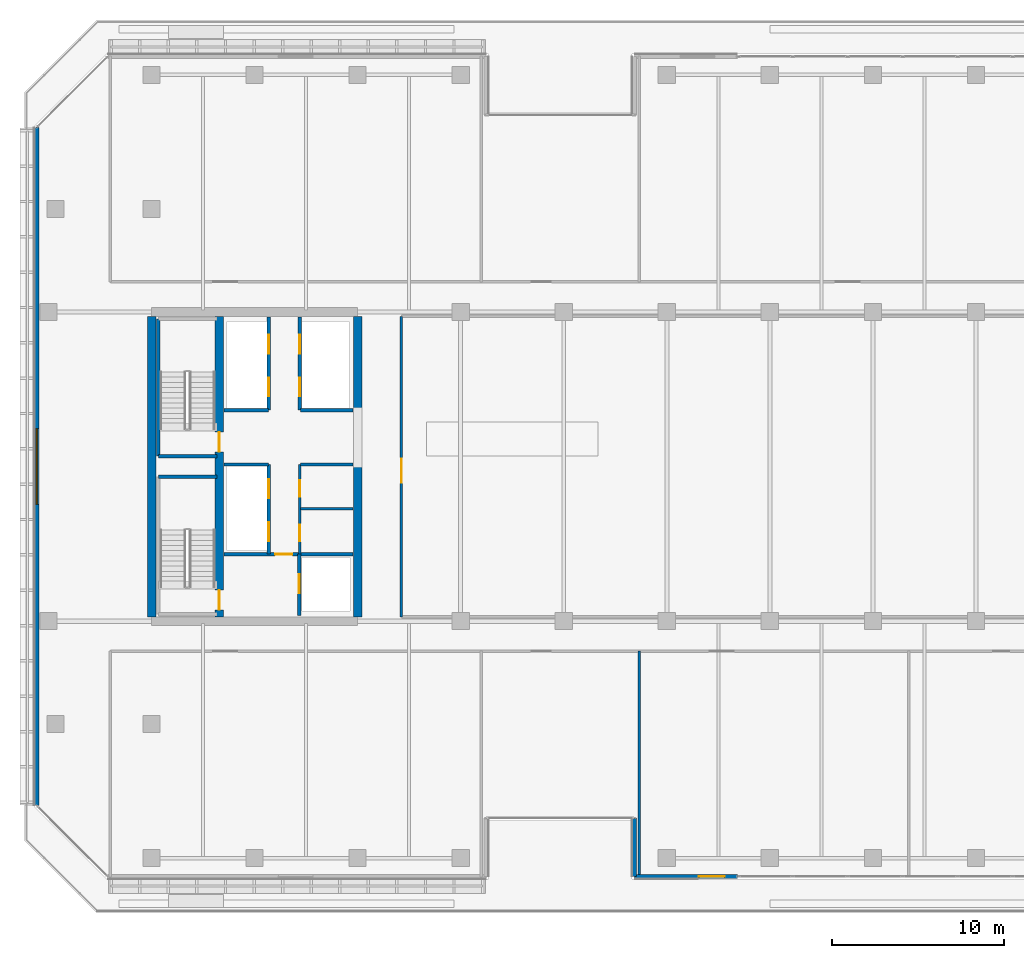
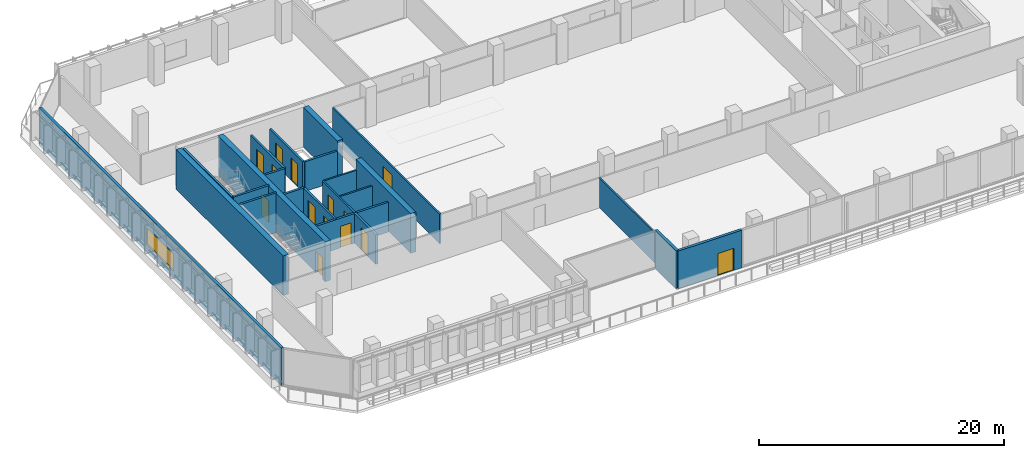
# One storey, part 28 of 38: 23 walls, 14 doors, 1 window, 15 openings.
"""IFC4 building model written with IfcOpenShell, lengths in metres."""

from ifc_helpers import new_model, si_unit, direction, frame, frame_2d, origin, place, context, subcontext, project, spatial, rectangle, extrude, material, layer, layer_set, type_object, element, fill, save


model = new_model("IFC4")

# Units and contexts
model_context = context("Model", 3, precision=1e-05, world=origin(), true_north=direction((0.0, 1.0)))
body_context = subcontext(model_context, "Body", "Model", "MODEL_VIEW")
ifc_project = project(units=[si_unit("LENGTHUNIT", "METRE"), si_unit("AREAUNIT", "SQUARE_METRE"), si_unit("VOLUMEUNIT", "CUBIC_METRE"), si_unit("PLANEANGLEUNIT", "RADIAN"), si_unit("MASSUNIT", "GRAM", prefix="KILO")], contexts=[model_context])

# Site, building, storey
site_placement = place(None, origin())
site = spatial("IfcSite", under=ifc_project, at=site_placement, CompositionType="ELEMENT")
building_placement = place(site_placement, origin())
building = spatial("IfcBuilding", under=site, at=building_placement, Name="Tanjung Sevakor Pilgrim Tower", CompositionType="ELEMENT")
storey_placement = place(building_placement, frame((0.0, 0.0, 78.2099609375)))
storey = spatial("IfcBuildingStorey", under=building, at=storey_placement, Name="L21", CompositionType="ELEMENT", Elevation=78.2099609375)

# Walls
ifc_material_1 = material(Name="Concrete C60/75", Category="concrete")
ifc_layer_1 = layer(ifc_material_1, 0.5)
ifc_layer_set_1 = layer_set([ifc_layer_1], Name="WALL-CW-500")
wall_type_1 = type_object("IfcWallType", Name="WALL-CW-500", PredefinedType="SHEAR", material=ifc_layer_set_1)
wall_1_placement = place(storey_placement, frame((24.0, 24.85009765625, 0.0), z_axis=(0.0, 0.0, 1.0), x_axis=(0.0, 1.0, 0.0)))
element("IfcWall", 1, at=wall_1_placement, inside=storey, type_object=wall_type_1, Name="L21 W Core Outer Shear Wall", PredefinedType="SHEAR", context=body_context, shape_type="SweptSolid", body=[
    extrude(rectangle(XDim=17.5, YDim=0.5, at=frame_2d((8.75, 0.0))), origin(), (0.0, 0.0, 1.0), 3.9599609375),
])
wall_2_placement = place(storey_placement, frame((36.0, 24.85009765625, 0.0), z_axis=(0.0, 0.0, 1.0), x_axis=(0.0, 1.0, 0.0)))
element("IfcWall", 2, at=wall_2_placement, inside=storey, type_object=wall_type_1, Name="L21 W Core Inner Shear Wall South", PredefinedType="SHEAR", context=body_context, shape_type="SweptSolid", body=[
    extrude(rectangle(XDim=8.949951171875, YDim=0.5, at=frame_2d((4.47509765625, 0.0))), origin(), (0.0, 0.0, 1.0), 3.9599609375),
])
wall_3_placement = place(storey_placement, frame((36.0, 36.800048828125, 0.0), z_axis=(0.0, 0.0, 1.0), x_axis=(0.0, 1.0, 0.0)))
element("IfcWall", 3, at=wall_3_placement, inside=storey, type_object=wall_type_1, Name="L21 W Core Inner Shear Wall North", PredefinedType="SHEAR", context=body_context, shape_type="SweptSolid", body=[
    extrude(rectangle(XDim=5.550048828125, YDim=0.5, at=frame_2d((2.77490234375, 0.0))), origin(), (0.0, 0.0, 1.0), 3.9599609375),
])

# Wall, openings, doors
wall_4_placement = place(storey_placement, frame((27.949951171875, 24.85009765625, 0.0), z_axis=(0.0, 0.0, 1.0), x_axis=(0.0, 1.0, 0.0)))
wall_4 = element("IfcWall", 4, at=wall_4_placement, inside=storey, type_object=wall_type_1, Name="L21 W Core Stair Spine Wall", PredefinedType="SHEAR", context=body_context, shape_type="SweptSolid", body=[
    extrude(rectangle(XDim=17.5, YDim=0.5, at=frame_2d((8.75, 0.0))), origin(), (0.0, 0.0, 1.0), 3.9599609375),
])
opening_1_placement = place(wall_4_placement, frame((0.39990234375, 0.0, 0.0)))
opening_1 = element("IfcOpeningElement", 5, at=opening_1_placement, cuts=wall_4, Name="Opening ID-ST1", PredefinedType="OPENING", context=body_context, shape_type="SweptSolid", body=[
    extrude(rectangle(XDim=1.14990234375, YDim=2.14990234375, at=frame_2d((0.574951171875, 1.074951171875))), frame((0.0, 0.260009765625, 0.0), z_axis=(0.0, -1.0, 0.0), x_axis=(1.0, 0.0, 0.0)), (0.0, 0.0, 1.0), 0.52001953125),
])
opening_2_placement = place(wall_4_placement, frame((9.60009765625, 0.0, 0.0)))
opening_2 = element("IfcOpeningElement", 6, at=opening_2_placement, cuts=wall_4, Name="Opening ID-ST1", PredefinedType="OPENING", context=body_context, shape_type="SweptSolid", body=[
    extrude(rectangle(XDim=1.14990234375, YDim=2.14990234375, at=frame_2d((0.574951171875, 1.074951171875))), frame((0.0, 0.260009765625, 0.0), z_axis=(0.0, -1.0, 0.0), x_axis=(1.0, 0.0, 0.0)), (0.0, 0.0, 1.0), 0.52001953125),
])
ifc_material_2 = material(Name="Fire-Rated Steel S355J2", Category="steel")
door_type_1 = type_object("IfcDoorType", Name="DT-FIRE-1150", OperationType="NOTDEFINED", PredefinedType="DOOR", material=ifc_material_2)
door_1_placement = place(opening_1_placement, origin())
door_1 = element("IfcDoor", 7, at=door_1_placement, inside=storey, type_object=door_type_1, Name="L21 TS-W1 Stair Fire Door", OperationType="SINGLE_SWING_LEFT", OverallHeight=2.14990234375, OverallWidth=1.14990234375, PredefinedType="DOOR", context=body_context, shape_type="SweptSolid", body=[
    extrude(rectangle(XDim=1.14990234375, YDim=2.14990234375, at=frame_2d((0.574951171875, 1.074951171875))), frame((0.0, 0.02490234375, 0.0), z_axis=(0.0, -1.0, 0.0), x_axis=(1.0, 0.0, 0.0)), (0.0, 0.0, 1.0), 0.050048828125),
])
fill(opening_1, door_1)
door_2_placement = place(opening_2_placement, origin())
door_2 = element("IfcDoor", 8, at=door_2_placement, inside=storey, type_object=door_type_1, Name="L21 TS-W2 Stair Fire Door", OperationType="SINGLE_SWING_RIGHT", OverallHeight=2.14990234375, OverallWidth=1.14990234375, PredefinedType="DOOR", context=body_context, shape_type="SweptSolid", body=[
    extrude(rectangle(XDim=1.14990234375, YDim=2.14990234375, at=frame_2d((0.574951171875, 1.074951171875))), frame((0.0, 0.02490234375, 0.0), z_axis=(0.0, -1.0, 0.0), x_axis=(1.0, 0.0, 0.0)), (0.0, 0.0, 1.0), 0.050048828125),
])
fill(opening_2, door_2)

# Walls
ifc_material_3 = material(Name="Concrete C40/50", Category="concrete")
ifc_layer_2 = layer(ifc_material_3, 0.14990234375)
ifc_layer_set_2 = layer_set([ifc_layer_2], Name="WT-COMP-150")
wall_type_2 = type_object("IfcWallType", Name="WT-COMP-150", PredefinedType="SOLIDWALL", material=ifc_layer_set_2)
for number, where, z_axis, x_axis, name in (
    (9, (32.679931640625, 31.14990234375, 0.0), (0.0, 0.0, 1.0), (1.0, 0.0, 0.0), "L21 Partition IW-L21-005"),
    (10, (32.679931640625, 33.719970703125, 0.0), (0.0, 0.0, 1.0), (1.0, 0.0, 0.0), "L21 Partition IW-L21-006"),
):
    element("IfcWall", number, at=place(storey_placement, frame(where, z_axis=z_axis, x_axis=x_axis)), inside=storey, type_object=wall_type_2, Name=name, PredefinedType="SOLIDWALL", context=body_context, shape_type="SweptSolid", body=[
        extrude(rectangle(XDim=3.050048828125, YDim=0.14990234375, at=frame_2d((1.52490234375, 0.0))), origin(), (0.0, 0.0, 1.0), 2.9599609375),
    ])

# Wall, openings, doors
wall_5_placement = place(storey_placement, frame((32.6201171875, 28.5, 0.0), z_axis=(0.0, 0.0, 1.0), x_axis=(0.0, 1.0, 0.0)))
wall_5 = element("IfcWall", 11, at=wall_5_placement, inside=storey, type_object=wall_type_2, Name="L21 Partition IW-L21-007", PredefinedType="SOLIDWALL", context=body_context, shape_type="SweptSolid", body=[
    extrude(rectangle(XDim=5.219970703125, YDim=0.14990234375, at=frame_2d((2.60986328125, 0.0))), origin(), (0.0, 0.0, 1.0), 2.9599609375),
])
opening_3_placement = place(wall_5_placement, frame((0.75, 0.0, 0.0)))
opening_3 = element("IfcOpeningElement", 12, at=opening_3_placement, cuts=wall_5, Name="Opening ID-FD2", PredefinedType="OPENING", context=body_context, shape_type="SweptSolid", body=[
    extrude(rectangle(XDim=0.949951171875, YDim=2.14990234375, at=frame_2d((0.47509765625, 1.074951171875))), frame((0.0, 0.0849609375, 0.0), z_axis=(0.0, -1.0, 0.0), x_axis=(1.0, 0.0, 0.0)), (0.0, 0.0, 1.0), 0.169921875),
])
opening_4_placement = place(wall_5_placement, frame((3.35009765625, 0.0, 0.0)))
opening_4 = element("IfcOpeningElement", 13, at=opening_4_placement, cuts=wall_5, Name="Opening ID-FD2", PredefinedType="OPENING", context=body_context, shape_type="SweptSolid", body=[
    extrude(rectangle(XDim=0.949951171875, YDim=2.14990234375, at=frame_2d((0.47509765625, 1.074951171875))), frame((0.0, 0.0849609375, 0.0), z_axis=(0.0, -1.0, 0.0), x_axis=(1.0, 0.0, 0.0)), (0.0, 0.0, 1.0), 0.169921875),
])
ifc_material_4 = material(Name="Fire-Rated Timber", Category="wood")
door_type_2 = type_object("IfcDoorType", Name="DT-FIRE-950", OperationType="NOTDEFINED", PredefinedType="DOOR", material=ifc_material_4)
door_3_placement = place(opening_3_placement, origin())
door_3 = element("IfcDoor", 14, at=door_3_placement, inside=storey, type_object=door_type_2, Name="L21 Accessible WC Door", OperationType="SINGLE_SWING_LEFT", OverallHeight=2.14990234375, OverallWidth=0.949951171875, PredefinedType="DOOR", context=body_context, shape_type="SweptSolid", body=[
    extrude(rectangle(XDim=0.949951171875, YDim=2.14990234375, at=frame_2d((0.47509765625, 1.074951171875))), frame((0.0, 0.02490234375, 0.0), z_axis=(0.0, -1.0, 0.0), x_axis=(1.0, 0.0, 0.0)), (0.0, 0.0, 1.0), 0.050048828125),
])
fill(opening_3, door_3)
door_4_placement = place(opening_4_placement, origin())
door_4 = element("IfcDoor", 15, at=door_4_placement, inside=storey, type_object=door_type_2, Name="L21 Core Service Door", OperationType="SINGLE_SWING_RIGHT", OverallHeight=2.14990234375, OverallWidth=0.949951171875, PredefinedType="DOOR", context=body_context, shape_type="SweptSolid", body=[
    extrude(rectangle(XDim=0.949951171875, YDim=2.14990234375, at=frame_2d((0.47509765625, 1.074951171875))), frame((0.0, 0.02490234375, 0.0), z_axis=(0.0, -1.0, 0.0), x_axis=(1.0, 0.0, 0.0)), (0.0, 0.0, 1.0), 0.050048828125),
])
fill(opening_4, door_4)

# Wall, opening, door
wall_6_placement = place(storey_placement, frame((38.550048828125, 24.85009765625, 0.0), z_axis=(0.0, 0.0, 1.0), x_axis=(0.0, 1.0, 0.0)))
wall_6 = element("IfcWall", 16, at=wall_6_placement, inside=storey, type_object=wall_type_2, Name="L21 Partition IW-L21-025", PredefinedType="SOLIDWALL", context=body_context, shape_type="SweptSolid", body=[
    extrude(rectangle(XDim=17.5, YDim=0.14990234375, at=frame_2d((8.75, 0.0))), origin(), (0.0, 0.0, 1.0), 2.9599609375),
])
opening_5_placement = place(wall_6_placement, frame((7.800048828125, 0.0, 0.0)))
opening_5 = element("IfcOpeningElement", 17, at=opening_5_placement, cuts=wall_6, Name="Opening ID-HD1", PredefinedType="OPENING", context=body_context, shape_type="SweptSolid", body=[
    extrude(rectangle(XDim=1.39990234375, YDim=2.14990234375, at=frame_2d((0.699951171875, 1.074951171875))), frame((0.0, 0.0849609375, 0.0), z_axis=(0.0, -1.0, 0.0), x_axis=(1.0, 0.0, 0.0)), (0.0, 0.0, 1.0), 0.169921875),
])
ifc_material_5 = material(Name="Hardwood Timber", Category="wood")
door_type_3 = type_object("IfcDoorType", Name="DT-INT-1400", OperationType="DOUBLE_DOOR_SINGLE_SWING", PredefinedType="DOOR", material=ifc_material_5)
door_5_placement = place(opening_5_placement, origin())
door_5 = element("IfcDoor", 18, at=door_5_placement, inside=storey, type_object=door_type_3, Name="L21 Sky Lobby West Door", OperationType="SINGLE_SWING_LEFT", OverallHeight=2.14990234375, OverallWidth=1.39990234375, PredefinedType="DOOR", context=body_context, shape_type="SweptSolid", body=[
    extrude(rectangle(XDim=1.39990234375, YDim=2.14990234375, at=frame_2d((0.699951171875, 1.074951171875))), frame((0.0, 0.02490234375, 0.0), z_axis=(0.0, -1.0, 0.0), x_axis=(1.0, 0.0, 0.0)), (0.0, 0.0, 1.0), 0.050048828125),
])
fill(opening_5, door_5)

# Wall
ifc_material_6 = material(Name="Precast concrete C45/55", Category="concrete")
ifc_layer_3 = layer(ifc_material_6, 0.25)
ifc_layer_set_3 = layer_set([ifc_layer_3], Name="WT-EW-STN3")
wall_type_3 = type_object("IfcWallType", Name="WT-EW-STN3", PredefinedType="SOLIDWALL", material=ifc_layer_set_3)
wall_7_placement = place(storey_placement, frame((52.125, 13.125, 0.0), z_axis=(0.0, 0.0, 1.0), x_axis=(0.0, -1.0, 0.0)))
element("IfcWall", 19, at=wall_7_placement, inside=storey, type_object=wall_type_3, Name="L21 MAIN Exterior Wall 4", PredefinedType="SOLIDWALL", context=body_context, shape_type="SweptSolid", body=[
    extrude(rectangle(XDim=3.39990234375, YDim=0.25, at=frame_2d((1.699951171875, 0.0))), origin(), (0.0, 0.0, 1.0), 3.739990234375),
])

# Wall, opening, door
wall_8_placement = place(storey_placement, frame((52.125, 9.72509765625, 0.0), z_axis=(0.0, 0.0, 1.0), x_axis=(1.0, 0.0, 0.0)))
wall_8 = element("IfcWall", 20, at=wall_8_placement, inside=storey, type_object=wall_type_3, Name="L21 Sky Lobby Wall S1", PredefinedType="SOLIDWALL", context=body_context, shape_type="SweptSolid", body=[
    extrude(rectangle(XDim=6.0, YDim=0.25, at=frame_2d((3.0, 0.0))), origin(), (0.0, 0.0, 1.0), 3.739990234375),
])
opening_6_placement = place(wall_8_placement, frame((3.75, 0.0, 0.0)))
opening_6 = element("IfcOpeningElement", 21, at=opening_6_placement, cuts=wall_8, Name="Opening ED-TER-1500", PredefinedType="OPENING", context=body_context, shape_type="SweptSolid", body=[
    extrude(rectangle(XDim=1.5, YDim=2.199951171875, at=frame_2d((0.75, 1.10009765625))), frame((0.0, 0.135009765625, 0.0), z_axis=(0.0, -1.0, 0.0), x_axis=(1.0, 0.0, 0.0)), (0.0, 0.0, 1.0), 0.27001953125),
])
ifc_material_7 = material(Name="Anodised Aluminium and Laminated Glass", Category="aluminium")
door_type_4 = type_object("IfcDoorType", Name="DTYP-ED-TER-1500", OperationType="DOUBLE_DOOR_SINGLE_SWING", PredefinedType="DOOR", material=ifc_material_7)
door_6_placement = place(opening_6_placement, frame((1.5, 0.0, 0.0), z_axis=(0.0, 0.0, 1.0), x_axis=(-1.0, 0.0, 0.0)))
door_6 = element("IfcDoor", 22, at=door_6_placement, inside=storey, type_object=door_type_4, Name="L21 Sky Terrace Door S", OperationType="SINGLE_SWING_RIGHT", OverallHeight=2.199951171875, OverallWidth=1.5, PredefinedType="DOOR", context=body_context, shape_type="SweptSolid", body=[
    extrude(rectangle(XDim=1.5, YDim=2.199951171875, at=frame_2d((0.75, 1.10009765625))), frame((0.0, 0.02490234375, 0.0), z_axis=(0.0, -1.0, 0.0), x_axis=(1.0, 0.0, 0.0)), (0.0, 0.0, 1.0), 0.050048828125),
])
fill(opening_6, door_6)

# Wall, opening, window
wall_9_placement = place(storey_placement, frame((17.324951171875, 53.34814453125, 0.0), z_axis=(0.0, 0.0, 1.0), x_axis=(0.0, -1.0, 0.0)))
wall_9 = element("IfcWall", 23, at=wall_9_placement, inside=storey, type_object=wall_type_3, Name="L21 MAIN Exterior Wall 15", PredefinedType="SOLIDWALL", context=body_context, shape_type="SweptSolid", body=[
    extrude(rectangle(XDim=39.496337890625, YDim=0.25, at=frame_2d((19.748046875, 0.0))), origin(), (0.0, 0.0, 1.0), 3.739990234375),
])
opening_7_placement = place(wall_9_placement, frame((17.548095703125, 0.0, 0.780029296875)))
opening_7 = element("IfcOpeningElement", 24, at=opening_7_placement, cuts=wall_9, Name="Opening WN-ENDW-1660", PredefinedType="OPENING", context=body_context, shape_type="SweptSolid", body=[
    extrude(rectangle(XDim=4.39990234375, YDim=1.659912109375, at=frame_2d((2.199951171875, 0.830078125))), frame((0.0, 0.135009765625, 0.0), z_axis=(0.0, -1.0, 0.0), x_axis=(1.0, 0.0, 0.0)), (0.0, 0.0, 1.0), 0.27001953125),
])
ifc_material_8 = material(Name="Thermally Broken Aluminium and Low-E Glass", Category="aluminium")
window_type = type_object("IfcWindowType", Name="WTYP-WN-ENDW-1660", PartitioningType="DOUBLE_PANEL_VERTICAL", PredefinedType="WINDOW", material=ifc_material_8)
window_placement = place(opening_7_placement, origin())
window = element("IfcWindow", 25, at=window_placement, inside=storey, type_object=window_type, Name="L21 Facade Window 01", OverallHeight=1.659912109375, OverallWidth=4.39990234375, PartitioningType="SINGLE_PANEL", PredefinedType="WINDOW", context=body_context, shape_type="SweptSolid", body=[
    extrude(rectangle(XDim=4.39990234375, YDim=1.659912109375, at=frame_2d((2.199951171875, 0.830078125))), frame((0.0, 0.030029296875, 0.0), z_axis=(0.0, -1.0, 0.0), x_axis=(1.0, 0.0, 0.0)), (0.0, 0.0, 1.0), 0.06005859375),
])
fill(opening_7, window)

# Walls
ifc_material_9 = material(Name="Concrete C40/50", Category="concrete")
ifc_layer_4 = layer(ifc_material_9, 0.199951171875)
ifc_layer_set_4 = layer_set([ifc_layer_4], Name="WT-FIRE-200")
wall_type_4 = type_object("IfcWallType", Name="WT-FIRE-200", PredefinedType="SOLIDWALL", material=ifc_layer_set_4)
for number, where, z_axis, x_axis, name in (
    (26, (27.800048828125, 33.0, 0.0), (0.0, 0.0, 1.0), (-1.0, 0.0, 0.0), "L21 TS-W1 Shaft Wall 2"),
    (27, (24.39990234375, 34.199951171875, 0.0), (0.0, 0.0, 1.0), (1.0, 0.0, 0.0), "L21 TS-W2 Shaft Wall 1"),
):
    element("IfcWall", number, at=place(storey_placement, frame(where, z_axis=z_axis, x_axis=x_axis)), inside=storey, type_object=wall_type_4, Name=name, PredefinedType="SOLIDWALL", context=body_context, shape_type="SweptSolid", body=[
        extrude(rectangle(XDim=3.400146484375, YDim=0.199951171875, at=frame_2d((1.7001953125, 0.0))), origin(), (0.0, 0.0, 1.0), 3.9599609375),
    ])
wall_10_placement = place(storey_placement, frame((24.39990234375, 42.199951171875, 0.0), z_axis=(0.0, 0.0, 1.0), x_axis=(0.0, -1.0, 0.0)))
element("IfcWall", 28, at=wall_10_placement, inside=storey, type_object=wall_type_4, Name="L21 TS-W2 Shaft Wall 3", PredefinedType="SOLIDWALL", context=body_context, shape_type="SweptSolid", body=[
    extrude(rectangle(XDim=8.0, YDim=0.199951171875, at=frame_2d((4.0, 0.0))), origin(), (0.0, 0.0, 1.0), 3.9599609375),
])

# Wall, opening, door
ifc_material_10 = material(Name="Concrete C40/50", Category="concrete")
ifc_layer_5 = layer(ifc_material_10, 0.199951171875)
ifc_layer_set_5 = layer_set([ifc_layer_5], Name="WT-FPRT-200")
wall_type_5 = type_object("IfcWallType", Name="WT-FPRT-200", PredefinedType="SOLIDWALL", material=ifc_layer_set_5)
wall_11_placement = place(storey_placement, frame((32.60009765625, 24.919921875, 0.0), z_axis=(0.0, 0.0, 1.0), x_axis=(0.0, 1.0, 0.0)))
wall_11 = element("IfcWall", 29, at=wall_11_placement, inside=storey, type_object=wall_type_5, Name="L21 Partition IW-L21-001", PredefinedType="SOLIDWALL", context=body_context, shape_type="SweptSolid", body=[
    extrude(rectangle(XDim=3.580078125, YDim=0.199951171875, at=frame_2d((1.7900390625, 0.0))), origin(), (0.0, 0.0, 1.0), 2.9599609375),
])
opening_8_placement = place(wall_11_placement, frame((1.300048828125, 0.0, 0.0)))
opening_8 = element("IfcOpeningElement", 30, at=opening_8_placement, cuts=wall_11, Name="Opening LD-1100", PredefinedType="OPENING", context=body_context, shape_type="SweptSolid", body=[
    extrude(rectangle(XDim=1.10009765625, YDim=2.199951171875, at=frame_2d((0.550048828125, 1.10009765625))), frame((0.0, 0.10986328125, 0.0), z_axis=(0.0, -1.0, 0.0), x_axis=(1.0, 0.0, 0.0)), (0.0, 0.0, 1.0), 0.219970703125),
])
ifc_material_11 = material(Name="Brushed Stainless Steel S355J2", Category="steel")
door_type_5 = type_object("IfcDoorType", Name="DT-LIFT-1100", OperationType="SLIDING_TO_LEFT", PredefinedType="DOOR", material=ifc_material_11)
door_7_placement = place(opening_8_placement, origin())
door_7 = element("IfcDoor", 31, at=door_7_placement, inside=storey, type_object=door_type_5, Name="LD-FL-W", OperationType="SLIDING_TO_LEFT", OverallHeight=2.199951171875, OverallWidth=1.10009765625, PredefinedType="DOOR", context=body_context, shape_type="SweptSolid", body=[
    extrude(rectangle(XDim=1.10009765625, YDim=2.199951171875, at=frame_2d((0.550048828125, 1.10009765625))), frame((0.0, 0.02490234375, 0.0), z_axis=(0.0, -1.0, 0.0), x_axis=(1.0, 0.0, 0.0)), (0.0, 0.0, 1.0), 0.050048828125),
])
fill(opening_8, door_7)

wall_12_placement = place(storey_placement, frame((28.219970703125, 28.5, 0.0), z_axis=(0.0, 0.0, 1.0), x_axis=(1.0, 0.0, 0.0)))
wall_12 = element("IfcWall", 32, at=wall_12_placement, inside=storey, type_object=wall_type_5, Name="L21 Partition IW-L21-002", PredefinedType="SOLIDWALL", context=body_context, shape_type="SweptSolid", body=[
    extrude(rectangle(XDim=7.510009765625, YDim=0.199951171875, at=frame_2d((3.7548828125, 0.0))), origin(), (0.0, 0.0, 1.0), 2.9599609375),
])
opening_9_placement = place(wall_12_placement, frame((2.97998046875, 0.0, 0.0)))
opening_9 = element("IfcOpeningElement", 33, at=opening_9_placement, cuts=wall_12, Name="Opening ID-FD1", PredefinedType="OPENING", context=body_context, shape_type="SweptSolid", body=[
    extrude(rectangle(XDim=1.0, YDim=2.14990234375, at=frame_2d((0.5, 1.074951171875))), frame((0.0, 0.10986328125, 0.0), z_axis=(0.0, -1.0, 0.0), x_axis=(1.0, 0.0, 0.0)), (0.0, 0.0, 1.0), 0.219970703125),
])
ifc_material_12 = material(Name="Fire-Rated Steel S355J2", Category="steel")
door_type_6 = type_object("IfcDoorType", Name="DT-FIRE-1000", OperationType="NOTDEFINED", PredefinedType="DOOR", material=ifc_material_12)
door_8_placement = place(opening_9_placement, origin())
door_8 = element("IfcDoor", 34, at=door_8_placement, inside=storey, type_object=door_type_6, Name="Fire Lobby Door W", OperationType="SINGLE_SWING_RIGHT", OverallHeight=2.14990234375, OverallWidth=1.0, PredefinedType="DOOR", context=body_context, shape_type="SweptSolid", body=[
    extrude(rectangle(XDim=1.0, YDim=2.14990234375, at=frame_2d((0.5, 1.074951171875))), frame((0.0, 0.02490234375, 0.0), z_axis=(0.0, -1.0, 0.0), x_axis=(1.0, 0.0, 0.0)), (0.0, 0.0, 1.0), 0.050048828125),
])
fill(opening_9, door_8)

# Wall
wall_13_placement = place(storey_placement, frame((28.219970703125, 33.719970703125, 0.0), z_axis=(0.0, 0.0, 1.0), x_axis=(1.0, 0.0, 0.0)))
element("IfcWall", 35, at=wall_13_placement, inside=storey, type_object=wall_type_5, Name="L21 Partition IW-L21-003", PredefinedType="SOLIDWALL", context=body_context, shape_type="SweptSolid", body=[
    extrude(rectangle(XDim=2.580078125, YDim=0.199951171875, at=frame_2d((1.2900390625, 0.0))), origin(), (0.0, 0.0, 1.0), 2.9599609375),
])

# Wall, openings, doors
wall_14_placement = place(storey_placement, frame((30.820068359375, 28.5, 0.0), z_axis=(0.0, 0.0, 1.0), x_axis=(0.0, 1.0, 0.0)))
wall_14 = element("IfcWall", 36, at=wall_14_placement, inside=storey, type_object=wall_type_5, Name="L21 Partition IW-L21-004", PredefinedType="SOLIDWALL", context=body_context, shape_type="SweptSolid", body=[
    extrude(rectangle(XDim=5.219970703125, YDim=0.199951171875, at=frame_2d((2.60986328125, 0.0))), origin(), (0.0, 0.0, 1.0), 2.9599609375),
])
opening_10_placement = place(wall_14_placement, frame((0.75, 0.0, 0.0)))
opening_10 = element("IfcOpeningElement", 37, at=opening_10_placement, cuts=wall_14, Name="Opening LD-1100", PredefinedType="OPENING", context=body_context, shape_type="SweptSolid", body=[
    extrude(rectangle(XDim=1.10009765625, YDim=2.199951171875, at=frame_2d((0.550048828125, 1.10009765625))), frame((0.0, 0.10986328125, 0.0), z_axis=(0.0, -1.0, 0.0), x_axis=(1.0, 0.0, 0.0)), (0.0, 0.0, 1.0), 0.219970703125),
])
opening_11_placement = place(wall_14_placement, frame((3.25, 0.0, 0.0)))
opening_11 = element("IfcOpeningElement", 38, at=opening_11_placement, cuts=wall_14, Name="Opening LD-1100", PredefinedType="OPENING", context=body_context, shape_type="SweptSolid", body=[
    extrude(rectangle(XDim=1.10009765625, YDim=2.199951171875, at=frame_2d((0.550048828125, 1.10009765625))), frame((0.0, 0.10986328125, 0.0), z_axis=(0.0, -1.0, 0.0), x_axis=(1.0, 0.0, 0.0)), (0.0, 0.0, 1.0), 0.219970703125),
])
door_9_placement = place(opening_10_placement, origin())
door_9 = element("IfcDoor", 39, at=door_9_placement, inside=storey, type_object=door_type_5, Name="LD-PLL1-W", OperationType="SLIDING_TO_LEFT", OverallHeight=2.199951171875, OverallWidth=1.10009765625, PredefinedType="DOOR", context=body_context, shape_type="SweptSolid", body=[
    extrude(rectangle(XDim=1.10009765625, YDim=2.199951171875, at=frame_2d((0.550048828125, 1.10009765625))), frame((0.0, 0.02490234375, 0.0), z_axis=(0.0, -1.0, 0.0), x_axis=(1.0, 0.0, 0.0)), (0.0, 0.0, 1.0), 0.050048828125),
])
fill(opening_10, door_9)
door_10_placement = place(opening_11_placement, origin())
door_10 = element("IfcDoor", 40, at=door_10_placement, inside=storey, type_object=door_type_5, Name="LD-PLL2-W", OperationType="SLIDING_TO_RIGHT", OverallHeight=2.199951171875, OverallWidth=1.10009765625, PredefinedType="DOOR", context=body_context, shape_type="SweptSolid", body=[
    extrude(rectangle(XDim=1.10009765625, YDim=2.199951171875, at=frame_2d((0.550048828125, 1.10009765625))), frame((0.0, 0.02490234375, 0.0), z_axis=(0.0, -1.0, 0.0), x_axis=(1.0, 0.0, 0.0)), (0.0, 0.0, 1.0), 0.050048828125),
])
fill(opening_11, door_10)

# Wall
wall_15_placement = place(storey_placement, frame((28.219970703125, 36.8798828125, 0.0), z_axis=(0.0, 0.0, 1.0), x_axis=(1.0, 0.0, 0.0)))
element("IfcWall", 41, at=wall_15_placement, inside=storey, type_object=wall_type_5, Name="L21 Partition IW-L21-008", PredefinedType="SOLIDWALL", context=body_context, shape_type="SweptSolid", body=[
    extrude(rectangle(XDim=2.580078125, YDim=0.199951171875, at=frame_2d((1.2900390625, 0.0))), origin(), (0.0, 0.0, 1.0), 2.9599609375),
])

# Wall, openings, doors
wall_16_placement = place(storey_placement, frame((30.820068359375, 36.8798828125, 0.0), z_axis=(0.0, 0.0, 1.0), x_axis=(0.0, 1.0, 0.0)))
wall_16 = element("IfcWall", 42, at=wall_16_placement, inside=storey, type_object=wall_type_5, Name="L21 Partition IW-L21-009", PredefinedType="SOLIDWALL", context=body_context, shape_type="SweptSolid", body=[
    extrude(rectangle(XDim=5.420166015625, YDim=0.199951171875, at=frame_2d((2.7099609375, 0.0))), origin(), (0.0, 0.0, 1.0), 2.9599609375),
])
opening_12_placement = place(wall_16_placement, frame((0.800048828125, 0.0, 0.0)))
opening_12 = element("IfcOpeningElement", 43, at=opening_12_placement, cuts=wall_16, Name="Opening LD-1100", PredefinedType="OPENING", context=body_context, shape_type="SweptSolid", body=[
    extrude(rectangle(XDim=1.10009765625, YDim=2.199951171875, at=frame_2d((0.550048828125, 1.10009765625))), frame((0.0, 0.10986328125, 0.0), z_axis=(0.0, -1.0, 0.0), x_axis=(1.0, 0.0, 0.0)), (0.0, 0.0, 1.0), 0.219970703125),
])
opening_13_placement = place(wall_16_placement, frame((3.300048828125, 0.0, 0.0)))
opening_13 = element("IfcOpeningElement", 44, at=opening_13_placement, cuts=wall_16, Name="Opening LD-1100", PredefinedType="OPENING", context=body_context, shape_type="SweptSolid", body=[
    extrude(rectangle(XDim=1.10009765625, YDim=2.199951171875, at=frame_2d((0.550048828125, 1.10009765625))), frame((0.0, 0.10986328125, 0.0), z_axis=(0.0, -1.0, 0.0), x_axis=(1.0, 0.0, 0.0)), (0.0, 0.0, 1.0), 0.219970703125),
])
door_11_placement = place(opening_12_placement, origin())
door_11 = element("IfcDoor", 45, at=door_11_placement, inside=storey, type_object=door_type_5, Name="LD-PLM1-W", OperationType="SLIDING_TO_LEFT", OverallHeight=2.199951171875, OverallWidth=1.10009765625, PredefinedType="DOOR", context=body_context, shape_type="SweptSolid", body=[
    extrude(rectangle(XDim=1.10009765625, YDim=2.199951171875, at=frame_2d((0.550048828125, 1.10009765625))), frame((0.0, 0.02490234375, 0.0), z_axis=(0.0, -1.0, 0.0), x_axis=(1.0, 0.0, 0.0)), (0.0, 0.0, 1.0), 0.050048828125),
])
fill(opening_12, door_11)
door_12_placement = place(opening_13_placement, origin())
door_12 = element("IfcDoor", 46, at=door_12_placement, inside=storey, type_object=door_type_5, Name="LD-PLM2-W", OperationType="SLIDING_TO_RIGHT", OverallHeight=2.199951171875, OverallWidth=1.10009765625, PredefinedType="DOOR", context=body_context, shape_type="SweptSolid", body=[
    extrude(rectangle(XDim=1.10009765625, YDim=2.199951171875, at=frame_2d((0.550048828125, 1.10009765625))), frame((0.0, 0.02490234375, 0.0), z_axis=(0.0, -1.0, 0.0), x_axis=(1.0, 0.0, 0.0)), (0.0, 0.0, 1.0), 0.050048828125),
])
fill(opening_13, door_12)

# Wall
wall_17_placement = place(storey_placement, frame((32.679931640625, 36.8798828125, 0.0), z_axis=(0.0, 0.0, 1.0), x_axis=(1.0, 0.0, 0.0)))
element("IfcWall", 47, at=wall_17_placement, inside=storey, type_object=wall_type_5, Name="L21 Partition IW-L21-010", PredefinedType="SOLIDWALL", context=body_context, shape_type="SweptSolid", body=[
    extrude(rectangle(XDim=3.050048828125, YDim=0.199951171875, at=frame_2d((1.52490234375, 0.0))), origin(), (0.0, 0.0, 1.0), 2.9599609375),
])

# Wall, openings, doors
wall_18_placement = place(storey_placement, frame((32.6201171875, 36.8798828125, 0.0), z_axis=(0.0, 0.0, 1.0), x_axis=(0.0, 1.0, 0.0)))
wall_18 = element("IfcWall", 48, at=wall_18_placement, inside=storey, type_object=wall_type_5, Name="L21 Partition IW-L21-011", PredefinedType="SOLIDWALL", context=body_context, shape_type="SweptSolid", body=[
    extrude(rectangle(XDim=5.420166015625, YDim=0.199951171875, at=frame_2d((2.7099609375, 0.0))), origin(), (0.0, 0.0, 1.0), 2.9599609375),
])
opening_14_placement = place(wall_18_placement, frame((0.800048828125, 0.0, 0.0)))
opening_14 = element("IfcOpeningElement", 49, at=opening_14_placement, cuts=wall_18, Name="Opening LD-1100", PredefinedType="OPENING", context=body_context, shape_type="SweptSolid", body=[
    extrude(rectangle(XDim=1.10009765625, YDim=2.199951171875, at=frame_2d((0.550048828125, 1.10009765625))), frame((0.0, 0.10986328125, 0.0), z_axis=(0.0, -1.0, 0.0), x_axis=(1.0, 0.0, 0.0)), (0.0, 0.0, 1.0), 0.219970703125),
])
opening_15_placement = place(wall_18_placement, frame((3.300048828125, 0.0, 0.0)))
opening_15 = element("IfcOpeningElement", 50, at=opening_15_placement, cuts=wall_18, Name="Opening LD-1100", PredefinedType="OPENING", context=body_context, shape_type="SweptSolid", body=[
    extrude(rectangle(XDim=1.10009765625, YDim=2.199951171875, at=frame_2d((0.550048828125, 1.10009765625))), frame((0.0, 0.10986328125, 0.0), z_axis=(0.0, -1.0, 0.0), x_axis=(1.0, 0.0, 0.0)), (0.0, 0.0, 1.0), 0.219970703125),
])
door_13_placement = place(opening_14_placement, origin())
door_13 = element("IfcDoor", 51, at=door_13_placement, inside=storey, type_object=door_type_5, Name="LD-PLH1-W", OperationType="SLIDING_TO_LEFT", OverallHeight=2.199951171875, OverallWidth=1.10009765625, PredefinedType="DOOR", context=body_context, shape_type="SweptSolid", body=[
    extrude(rectangle(XDim=1.10009765625, YDim=2.199951171875, at=frame_2d((0.550048828125, 1.10009765625))), frame((0.0, 0.02490234375, 0.0), z_axis=(0.0, -1.0, 0.0), x_axis=(1.0, 0.0, 0.0)), (0.0, 0.0, 1.0), 0.050048828125),
])
fill(opening_14, door_13)
door_14_placement = place(opening_15_placement, origin())
door_14 = element("IfcDoor", 52, at=door_14_placement, inside=storey, type_object=door_type_5, Name="LD-PLH2-W", OperationType="SLIDING_TO_RIGHT", OverallHeight=2.199951171875, OverallWidth=1.10009765625, PredefinedType="DOOR", context=body_context, shape_type="SweptSolid", body=[
    extrude(rectangle(XDim=1.10009765625, YDim=2.199951171875, at=frame_2d((0.550048828125, 1.10009765625))), frame((0.0, 0.02490234375, 0.0), z_axis=(0.0, -1.0, 0.0), x_axis=(1.0, 0.0, 0.0)), (0.0, 0.0, 1.0), 0.050048828125),
])
fill(opening_15, door_14)

# Wall
ifc_material_13 = material(Name="Gypsum Board Partition", Category="gypsum board")
ifc_layer_6 = layer(ifc_material_13, 0.14990234375)
ifc_layer_set_6 = layer_set([ifc_layer_6], Name="WT-PART-150")
wall_type_6 = type_object("IfcWallType", Name="WT-PART-150", PredefinedType="PARTITIONING", material=ifc_layer_set_6)
wall_19_placement = place(storey_placement, frame((52.39990234375, 9.699951171875, 0.0), z_axis=(0.0, 0.0, 1.0), x_axis=(0.0, 1.0, 0.0)))
element("IfcWall", 53, at=wall_19_placement, inside=storey, type_object=wall_type_6, Name="L21 Partition IW-L21-029", PredefinedType="PARTITIONING", context=body_context, shape_type="SweptSolid", body=[
    extrude(rectangle(XDim=13.150146484375, YDim=0.14990234375, at=frame_2d((6.5751953125, 0.0))), origin(), (0.0, 0.0, 1.0), 2.9599609375),
])

save(model, "model.ifc")
